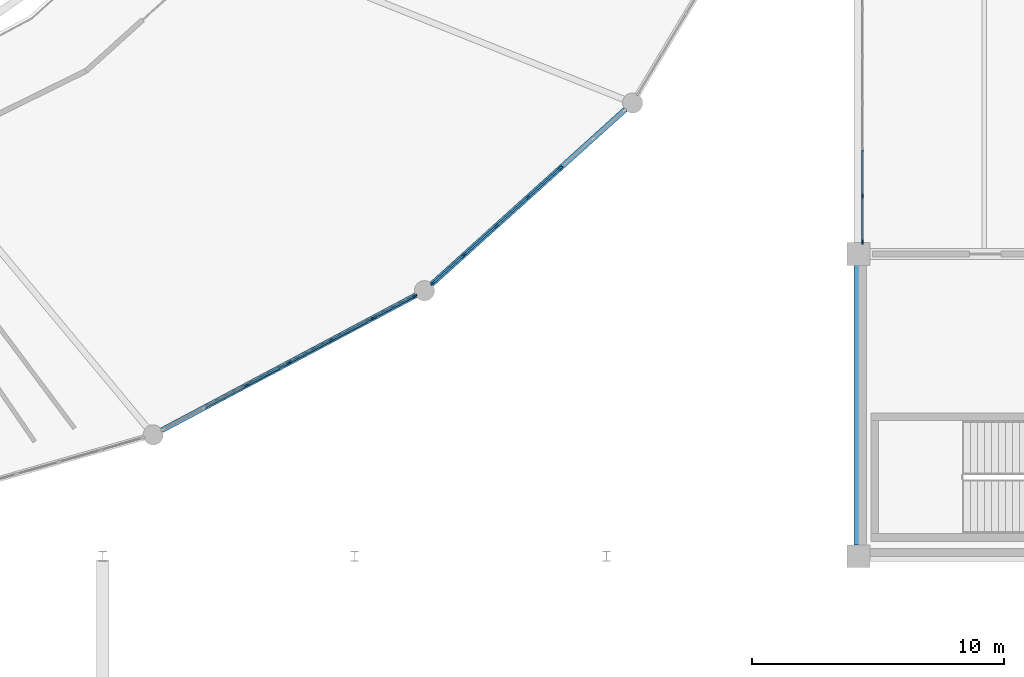
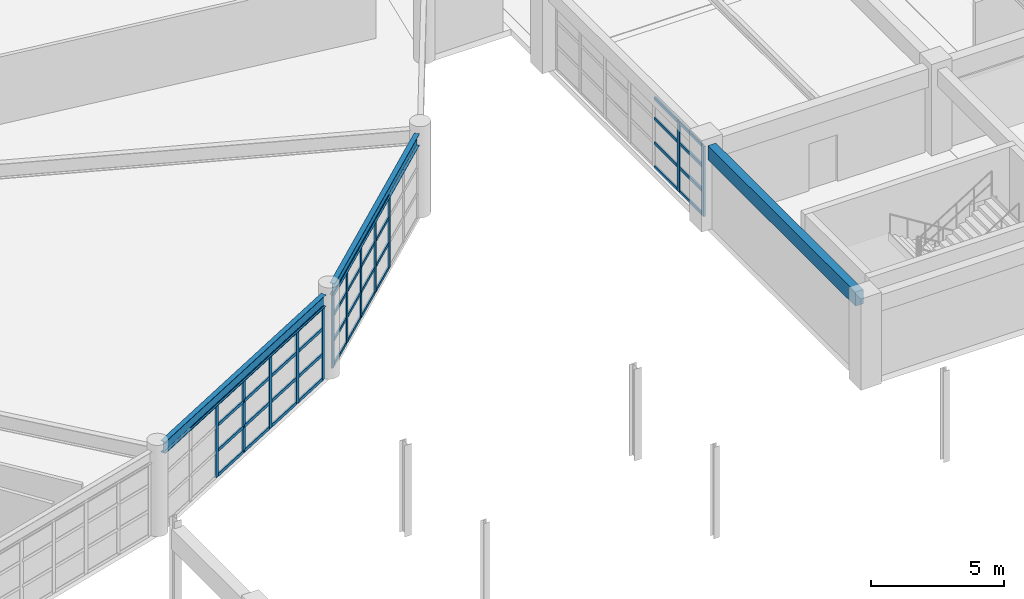
# One storey, part 30 of 100: 53 members, 3 beams, 3 elements without a shape of their own.
"""IFC4 building model written with IfcOpenShell, lengths in metres."""

import ifcopenshell
import ifcopenshell.guid

model = None  # the IFC model being written
_history = None  # IfcOwnerHistory: only IFC2X3 demands one
_inside = {}  # id of a spatial element -> (the spatial element, [elements in it])
_under = {}  # id of a project, library or spatial element -> (it, [spatial elements below it])
_declared = {}  # id of a project -> (the project, [libraries it declares])
_typed = {}  # id of a type object -> (the type object, [elements of that type])
_made_of = {}  # id of a material, layer set ... -> (it, [elements and type objects made of it])


def new_model(schema):
    """Start an empty IFC model of exactly this schema.

    Asked for "IFC4X3", IfcOpenShell would pick the latest addendum, in which some entities
    have other attributes; the version numbers below select the first issue.
    IFC2X3 requires an IfcOwnerHistory on every rooted entity: one is made here for all.
    """
    global model, _history
    if schema == "IFC4X3":
        model = ifcopenshell.file(schema_version=(4, 3, 0, 0))
    else:
        model = ifcopenshell.file(schema=schema)
    _inside.clear()
    _under.clear()
    _declared.clear()
    _typed.clear()
    _made_of.clear()
    _history = None
    if model.schema == "IFC2X3":
        org = make("IfcOrganization", Name="unknown")
        user = make(
            "IfcPersonAndOrganization",
            ThePerson=make("IfcPerson", FamilyName="unknown"),
            TheOrganization=org,
        )
        app = make(
            "IfcApplication",
            ApplicationDeveloper=org,
            Version="unknown",
            ApplicationFullName="unknown",
            ApplicationIdentifier="unknown",
        )
        _history = make(
            "IfcOwnerHistory",
            OwningUser=user,
            OwningApplication=app,
            ChangeAction="ADDED",
            CreationDate=0,
        )
    return model


def make(cls, **values):
    """One entity of the class cls with the attributes given. An attribute that is None is left unset."""
    return model.create_entity(
        cls, **{name: value for name, value in values.items() if value is not None}
    )


def rooted(cls, **values):
    """An entity with a GlobalId (a new one), such as an element, a storey or a relation."""
    return make(cls, GlobalId=ifcopenshell.guid.new(), OwnerHistory=_history, **values)


def si_unit(unit_type, name, prefix=None):
    """IfcSIUnit, for example si_unit("LENGTHUNIT", "METRE", prefix="MILLI")."""
    return make("IfcSIUnit", UnitType=unit_type, Prefix=prefix, Name=name)


def assignment(units):
    """IfcUnitAssignment: the units of a project."""
    return None if units is None else make("IfcUnitAssignment", Units=units)


def point(xyz):
    """IfcCartesianPoint."""
    return None if xyz is None else make("IfcCartesianPoint", Coordinates=xyz)


def direction(xyz):
    """IfcDirection."""
    return None if xyz is None else make("IfcDirection", DirectionRatios=xyz)


def frame(location, z_axis=None, x_axis=None):
    """IfcAxis2Placement3D, a coordinate frame: its origin and axes. An axis left out is left unset."""
    return make(
        "IfcAxis2Placement3D",
        Location=point(location),
        Axis=direction(z_axis),
        RefDirection=direction(x_axis),
    )


def frame_2d(location, x_axis=None):
    """IfcAxis2Placement2D, a coordinate frame in the plane: its origin and x axis."""
    return make(
        "IfcAxis2Placement2D", Location=point(location), RefDirection=direction(x_axis)
    )


def origin():
    """The frame at (0, 0, 0) with its axes left unset."""
    return frame((0.0, 0.0, 0.0))


def origin_2d():
    """The frame at (0, 0) in the plane with its x axis left unset."""
    return frame_2d((0.0, 0.0))


def place(relative_to, where):
    """IfcLocalPlacement: puts the frame where relative to a parent placement (None: the world)."""
    return make(
        "IfcLocalPlacement", PlacementRelTo=relative_to, RelativePlacement=where
    )


def context(
    kind, dimensions, precision=None, world=None, true_north=None, identifier=None
):
    """IfcGeometricRepresentationContext, for example the 3D "Model" context."""
    return make(
        "IfcGeometricRepresentationContext",
        ContextIdentifier=identifier,
        ContextType=kind,
        CoordinateSpaceDimension=dimensions,
        Precision=precision,
        WorldCoordinateSystem=world,
        TrueNorth=true_north,
    )


def subcontext(parent, identifier, kind, view, scale=None):
    """IfcGeometricRepresentationSubContext, for example "Body" below "Model"."""
    return make(
        "IfcGeometricRepresentationSubContext",
        ContextIdentifier=identifier,
        ContextType=kind,
        ParentContext=parent,
        TargetScale=scale,
        TargetView=view,
    )


def project(units=None, contexts=None):
    """IfcProject with its units and contexts."""
    return rooted(
        "IfcProject",
        Name="project",
        RepresentationContexts=contexts,
        UnitsInContext=assignment(units),
    )


def spatial(cls, under=None, at=None, **own):
    """A site, building, storey or space (cls), placed at a placement, below another one or the project."""
    s = rooted(cls, ObjectPlacement=at, **own)
    if under is not None:
        _under.setdefault(under.id(), (under, []))[1].append(s)
    return s


def profile(cls, at=None, kind="AREA", **sizes):
    """A parametric profile (cls). Its sizes go by their IFC names, for example OverallWidth=200.0."""
    return make(cls, ProfileType=kind, Position=at, **sizes)


def rectangle(**sizes):
    """IfcRectangleProfileDef."""
    return profile("IfcRectangleProfileDef", **sizes)


def i_section(**sizes):
    """IfcIShapeProfileDef."""
    return profile("IfcIShapeProfileDef", **sizes)


def extrude(swept, where, along, depth):
    """IfcExtrudedAreaSolid: the profile swept, set in the frame where, extruded along a direction by depth."""
    return make(
        "IfcExtrudedAreaSolid",
        SweptArea=swept,
        Position=where,
        ExtrudedDirection=direction(along),
        Depth=depth,
    )


def shape(context_of_items, identifier, shape_type, items):
    """IfcShapeRepresentation: the items that make up one representation, for example the "Body"."""
    return make(
        "IfcShapeRepresentation",
        ContextOfItems=context_of_items,
        RepresentationIdentifier=identifier,
        RepresentationType=shape_type,
        Items=items,
    )


def material(Name=None, Category=None):
    """IfcMaterial."""
    return make("IfcMaterial", Name=Name, Category=Category)


def layer(
    of_material, thickness, ventilated=None, Name=None, Category=None, Priority=None
):
    """IfcMaterialLayer: one layer of a wall or slab, of a material (None: an air gap)."""
    return make(
        "IfcMaterialLayer",
        Material=of_material,
        LayerThickness=thickness,
        IsVentilated=ventilated,
        Name=Name,
        Category=Category,
        Priority=Priority,
    )


def layer_set(layers, Name=None):
    """IfcMaterialLayerSet."""
    return make("IfcMaterialLayerSet", MaterialLayers=layers, LayerSetName=Name)


def material_profile(
    of_material, cross_section, Name=None, Category=None, Priority=None
):
    """IfcMaterialProfile: a cross section and its material."""
    return make(
        "IfcMaterialProfile",
        Name=Name,
        Material=of_material,
        Profile=cross_section,
        Priority=Priority,
        Category=Category,
    )


def profile_set(profiles, Name=None, composite=None):
    """IfcMaterialProfileSet."""
    return make(
        "IfcMaterialProfileSet",
        Name=Name,
        MaterialProfiles=profiles,
        CompositeProfile=composite,
    )


def made_of(thing, what):
    """Note that an element or type object is made of a material, layer set ...; save() writes the relation."""
    if what is not None:
        _made_of.setdefault(what.id(), (what, []))[1].append(thing)
    return thing


def type_object(cls, material=None, **own):
    """A type object (cls), such as IfcWallType, which elements share."""
    return made_of(rooted(cls, **own), material)


def element(
    cls,
    number,
    at=None,
    inside=None,
    cuts=None,
    type_object=None,
    material=None,
    context=None,
    identifier="Body",
    shape_type=None,
    held_by="IfcProductDefinitionShape",
    body=None,
    shapes=None,
    **own,
):
    """One element of the class cls, such as IfcWall. Its Tag is "e" and its number.

    at: its placement. inside: the storey or other place that contains it. cuts: it is an
    opening in that element (IfcRelVoidsElement). A single representation is given by context,
    identifier, shape_type and body (its items); several are given by shapes. held_by: the class
    of the entity that holds the representations. save() writes the other relations.
    """
    e = rooted(cls, Tag="e%d" % number, ObjectPlacement=at, **own)
    if body is not None:
        shapes = [shape(context, identifier, shape_type, body)]
    if shapes is not None:
        e.Representation = make(held_by, Representations=shapes)
    if inside is not None:
        _inside.setdefault(inside.id(), (inside, []))[1].append(e)
    if cuts is not None:
        rooted(
            "IfcRelVoidsElement", RelatingBuildingElement=cuts, RelatedOpeningElement=e
        )
    if type_object is not None:
        _typed.setdefault(type_object.id(), (type_object, []))[1].append(e)
    return made_of(e, material)


def aggregate(whole, parts):
    """IfcRelAggregates: a whole, such as a stair, and the parts it consists of."""
    return rooted("IfcRelAggregates", RelatingObject=whole, RelatedObjects=parts)


def save(model, path):
    """Write the relations noted so far, then the file.

    IfcRelAggregates (storeys below a building ...), IfcRelContainedInSpatialStructure (elements
    in a storey), IfcRelDefinesByType, IfcRelAssociatesMaterial and IfcRelDeclares: one each for
    every whole, place, type object, material and project.
    """
    for whole, parts in _under.values():
        aggregate(whole, parts)
    for where, things in _inside.values():
        rooted(
            "IfcRelContainedInSpatialStructure",
            RelatedElements=things,
            RelatingStructure=where,
        )
    for kind, things in _typed.values():
        rooted("IfcRelDefinesByType", RelatedObjects=things, RelatingType=kind)
    for what, things in _made_of.values():
        rooted("IfcRelAssociatesMaterial", RelatedObjects=things, RelatingMaterial=what)
    for by, libraries in _declared.values():
        rooted("IfcRelDeclares", RelatingContext=by, RelatedDefinitions=libraries)
    model.write(path)


model = new_model("IFC4")

# Units and contexts
model_context = context("Model", 3, precision=1e-05, world=origin(), true_north=direction((0.0, 1.0)))
body_context = subcontext(model_context, "Body", "Model", "MODEL_VIEW")
ifc_project = project(units=[si_unit("LENGTHUNIT", "METRE"), si_unit("AREAUNIT", "SQUARE_METRE"), si_unit("VOLUMEUNIT", "CUBIC_METRE"), si_unit("PLANEANGLEUNIT", "RADIAN"), si_unit("MASSUNIT", "GRAM", prefix="KILO")], contexts=[model_context])

# Site, building, storey
site_placement = place(None, origin())
site = spatial("IfcSite", under=ifc_project, at=site_placement, CompositionType="ELEMENT")
building_placement = place(site_placement, origin())
building = spatial("IfcBuilding", under=site, at=building_placement, Name="Kivolera Central Railway Station", CompositionType="ELEMENT")
storey_placement = place(building_placement, frame((0.0, 0.0, 5.39990234375)))
storey = spatial("IfcBuildingStorey", under=building, at=storey_placement, Name="L01", CompositionType="ELEMENT", Elevation=5.39990234375)

# Beams
ifc_material_1 = material(Name="Steel S355", Category="steel")
ifc_material_profile_1 = material_profile(ifc_material_1, i_section(OverallWidth=0.209228515625, OverallDepth=0.533203125, WebThickness=0.010009765625, FlangeThickness=0.015625, FilletRadius=0.0126953125, at=origin_2d()), Name="UB 533x210x92")
ifc_profile_set_1 = profile_set([ifc_material_profile_1], Name="Steel S355")
beam_type_1 = type_object("IfcBeamType", Name="BM-SHD-UB533", PredefinedType="BEAM", material=ifc_profile_set_1)
beam_1_placement = place(storey_placement, frame((90.343994140625, 59.006103515625, 3.611083984375), z_axis=(0.883155588993, 0.469080169725, 0.0), x_axis=(-0.469080169725, 0.883155588993, 0.0)))
element("IfcBeam", 1, at=beam_1_placement, inside=storey, type_object=beam_type_1, Name="L01 Oval Perimeter Ring Beam 21", PredefinedType="BEAM", context=body_context, shape_type="SweptSolid", body=[
    extrude(i_section(OverallWidth=0.209228515625, OverallDepth=0.533203125, WebThickness=0.010009765625, FlangeThickness=0.015625, FilletRadius=0.0126953125, at=origin_2d()), origin(), (0.0, 0.0, 1.0), 11.416015625),
])
beam_2_placement = place(storey_placement, frame((101.06005859375, 64.804931640625, 3.611083984375), z_axis=(0.742356199881, 0.670005427215, 0.0), x_axis=(-0.670005427215, 0.742356199881, 0.0)))
element("IfcBeam", 2, at=beam_2_placement, inside=storey, type_object=beam_type_1, Name="L01 Oval Perimeter Ring Beam 22", PredefinedType="BEAM", context=body_context, shape_type="SweptSolid", body=[
    extrude(i_section(OverallWidth=0.209228515625, OverallDepth=0.533203125, WebThickness=0.010009765625, FlangeThickness=0.015625, FilletRadius=0.0126953125, at=origin_2d()), origin(), (0.0, 0.0, 1.0), 10.349365234375),
])
ifc_material_2 = material(Name="Concrete C40/50", Category="concrete")
ifc_material_profile_2 = material_profile(ifc_material_2, rectangle(XDim=0.35009765625, YDim=0.64990234375, at=origin_2d()), Name="RC 350x650")
ifc_profile_set_2 = profile_set([ifc_material_profile_2], Name="Concrete C40/50")
beam_type_2 = type_object("IfcBeamType", Name="BM-SPN-RC650", PredefinedType="SPANDREL", material=ifc_profile_set_2)
beam_3_placement = place(storey_placement, frame((118.0, 54.44189453125, 3.55517578125), z_axis=(0.0, 1.0, 0.0), x_axis=(-1.0, 0.0, 0.0)))
element("IfcBeam", 3, at=beam_3_placement, inside=storey, type_object=beam_type_2, Name="L01 Wing Y-Beam 12:E-F", PredefinedType="SPANDREL", context=body_context, shape_type="SweptSolid", body=[
    extrude(rectangle(XDim=0.35009765625, YDim=0.64990234375, at=origin_2d()), origin(), (0.0, 0.0, 1.0), 11.1162109375),
])

# Curtain wall, members
ifc_material_3 = material(Name="Anodised aluminium", Category="aluminium")
ifc_layer_1 = layer(ifc_material_3, 0.179931640625, Name="Anodised aluminium")
ifc_layer_set_1 = layer_set([ifc_layer_1], Name="Anodised aluminium")
curtain_wall_type_1 = type_object("IfcCurtainWallType", Name="CW-SYS-08", PredefinedType="NOTDEFINED", material=ifc_layer_set_1)
curtain_wall_1_placement = place(storey_placement, origin())
curtain_wall_1 = element("IfcCurtainWall", 4, at=curtain_wall_1_placement, inside=storey, type_object=curtain_wall_type_1, Name="L01 Curtain Wall CW-L01-OVL-20", PredefinedType="NOTDEFINED")
ifc_material_profile_3 = material_profile(ifc_material_3, rectangle(XDim=0.070068359375, YDim=0.179931640625, at=origin_2d()), Name="ALU MULL 70x180")
ifc_profile_set_3 = profile_set([ifc_material_profile_3], Name="Anodised aluminium")
member_type_1 = type_object("IfcMemberType", Name="CWM-MUL-1", PredefinedType="MULLION", material=ifc_profile_set_3)
member_1_placement = place(storey_placement, frame((100.385986328125, 64.339599609375, -0.0048828125), z_axis=(0.0, 0.0, 1.0), x_axis=(0.469052563023, -0.883170251493, 0.0)))
member_1 = element("IfcMember", 5, at=member_1_placement, type_object=member_type_1, Name="CW-08 mullion 1", PredefinedType="MULLION", context=body_context, shape_type="SweptSolid", body=[
    extrude(rectangle(XDim=0.070068359375, YDim=0.179931640625, at=origin_2d()), origin(), (0.0, 0.0, 1.0), 3.344970703125),
])
member_2_placement = place(storey_placement, frame((98.73974609375, 63.465087890625, -0.0048828125), z_axis=(0.0, 0.0, 1.0), x_axis=(0.469052563023, -0.883170251493, 0.0)))
member_2 = element("IfcMember", 6, at=member_2_placement, type_object=member_type_1, Name="CW-08 mullion 2", PredefinedType="MULLION", context=body_context, shape_type="SweptSolid", body=[
    extrude(rectangle(XDim=0.070068359375, YDim=0.179931640625, at=origin_2d()), origin(), (0.0, 0.0, 1.0), 3.344970703125),
])
member_3_placement = place(storey_placement, frame((97.062255859375, 62.57421875, -0.0048828125), z_axis=(0.0, 0.0, 1.0), x_axis=(0.469052563023, -0.883170251493, 0.0)))
member_3 = element("IfcMember", 7, at=member_3_placement, type_object=member_type_1, Name="CW-08 mullion 3", PredefinedType="MULLION", context=body_context, shape_type="SweptSolid", body=[
    extrude(rectangle(XDim=0.070068359375, YDim=0.179931640625, at=origin_2d()), origin(), (0.0, 0.0, 1.0), 3.344970703125),
])
member_4_placement = place(storey_placement, frame((95.385009765625, 61.68359375, -0.0048828125), z_axis=(0.0, 0.0, 1.0), x_axis=(0.469052563023, -0.883170251493, 0.0)))
member_4 = element("IfcMember", 8, at=member_4_placement, type_object=member_type_1, Name="CW-08 mullion 4", PredefinedType="MULLION", context=body_context, shape_type="SweptSolid", body=[
    extrude(rectangle(XDim=0.070068359375, YDim=0.179931640625, at=origin_2d()), origin(), (0.0, 0.0, 1.0), 3.344970703125),
])
member_5_placement = place(storey_placement, frame((93.707763671875, 60.792724609375, -0.0048828125), z_axis=(0.0, 0.0, 1.0), x_axis=(0.469052563023, -0.883170251493, 0.0)))
member_5 = element("IfcMember", 9, at=member_5_placement, type_object=member_type_1, Name="CW-08 mullion 5", PredefinedType="MULLION", context=body_context, shape_type="SweptSolid", body=[
    extrude(rectangle(XDim=0.070068359375, YDim=0.179931640625, at=origin_2d()), origin(), (0.0, 0.0, 1.0), 3.344970703125),
])

ifc_layer_2 = layer(ifc_material_3, 0.179931640625, Name="Anodised aluminium")
ifc_layer_set_2 = layer_set([ifc_layer_2], Name="Anodised aluminium")
curtain_wall_type_2 = type_object("IfcCurtainWallType", Name="CW-SYS-05", PredefinedType="NOTDEFINED", material=ifc_layer_set_2)
curtain_wall_2_placement = place(storey_placement, origin())
curtain_wall_2 = element("IfcCurtainWall", 10, at=curtain_wall_2_placement, inside=storey, type_object=curtain_wall_type_2, Name="L01 Curtain Wall CW-L01-OVL-21", PredefinedType="NOTDEFINED")
member_6_placement = place(storey_placement, frame((106.1796875, 69.42529296875, -0.0048828125), z_axis=(0.0, 0.0, 1.0), x_axis=(0.66992157428, -0.742431871833, 0.0)))
member_6 = element("IfcMember", 11, at=member_6_placement, type_object=member_type_1, Name="CW-05 mullion 3", PredefinedType="MULLION", context=body_context, shape_type="SweptSolid", body=[
    extrude(rectangle(XDim=0.070068359375, YDim=0.179931640625, at=origin_2d()), origin(), (0.0, 0.0, 1.0), 3.344970703125),
])
member_7_placement = place(storey_placement, frame((104.901611328125, 68.27197265625, -0.0048828125), z_axis=(0.0, 0.0, 1.0), x_axis=(0.66992157428, -0.742431871833, 0.0)))
member_7 = element("IfcMember", 12, at=member_7_placement, type_object=member_type_1, Name="CW-05 mullion 4", PredefinedType="MULLION", context=body_context, shape_type="SweptSolid", body=[
    extrude(rectangle(XDim=0.070068359375, YDim=0.179931640625, at=origin_2d()), origin(), (0.0, 0.0, 1.0), 3.344970703125),
])
member_8_placement = place(storey_placement, frame((103.623291015625, 67.11865234375, -0.0048828125), z_axis=(0.0, 0.0, 1.0), x_axis=(0.66992157428, -0.742431871833, 0.0)))
member_8 = element("IfcMember", 13, at=member_8_placement, type_object=member_type_1, Name="CW-05 mullion 5", PredefinedType="MULLION", context=body_context, shape_type="SweptSolid", body=[
    extrude(rectangle(XDim=0.070068359375, YDim=0.179931640625, at=origin_2d()), origin(), (0.0, 0.0, 1.0), 3.344970703125),
])
member_9_placement = place(storey_placement, frame((102.34521484375, 65.96533203125, -0.0048828125), z_axis=(0.0, 0.0, 1.0), x_axis=(0.66992157428, -0.742431871833, 0.0)))
member_9 = element("IfcMember", 14, at=member_9_placement, type_object=member_type_1, Name="CW-05 mullion 6", PredefinedType="MULLION", context=body_context, shape_type="SweptSolid", body=[
    extrude(rectangle(XDim=0.070068359375, YDim=0.179931640625, at=origin_2d()), origin(), (0.0, 0.0, 1.0), 3.344970703125),
])
member_10_placement = place(storey_placement, frame((101.093017578125, 64.83544921875, -0.0048828125), z_axis=(0.0, 0.0, 1.0), x_axis=(0.66992157428, -0.742431871833, 0.0)))
member_10 = element("IfcMember", 15, at=member_10_placement, type_object=member_type_1, Name="CW-05 mullion 7", PredefinedType="MULLION", context=body_context, shape_type="SweptSolid", body=[
    extrude(rectangle(XDim=0.070068359375, YDim=0.179931640625, at=origin_2d()), origin(), (0.0, 0.0, 1.0), 3.344970703125),
])

ifc_layer_3 = layer(ifc_material_3, 0.179931640625, Name="Anodised aluminium")
ifc_layer_set_3 = layer_set([ifc_layer_3], Name="Anodised aluminium")
curtain_wall_type_3 = type_object("IfcCurtainWallType", Name="CW-SYS-26", PredefinedType="NOTDEFINED", material=ifc_layer_set_3)
curtain_wall_3_placement = place(storey_placement, origin())
curtain_wall_3 = element("IfcCurtainWall", 16, at=curtain_wall_3_placement, inside=storey, type_object=curtain_wall_type_3, Name="L01 Curtain Wall CW-L01-WEST-F", PredefinedType="NOTDEFINED")
member_11_placement = place(storey_placement, frame((118.159912109375, 66.47998046875, -0.0048828125), z_axis=(0.0, 0.0, 1.0), x_axis=(-1.0, 0.0, 0.0)))
member_11 = element("IfcMember", 17, at=member_11_placement, type_object=member_type_1, Name="CW-26 mullion 1", PredefinedType="MULLION", context=body_context, shape_type="SweptSolid", body=[
    extrude(rectangle(XDim=0.070068359375, YDim=0.179931640625, at=origin_2d()), origin(), (0.0, 0.0, 1.0), 3.222900390625),
])
member_12_placement = place(storey_placement, frame((118.159912109375, 68.296630859375, -0.0048828125), z_axis=(0.0, 0.0, 1.0), x_axis=(-1.0, 0.0, 0.0)))
member_12 = element("IfcMember", 18, at=member_12_placement, type_object=member_type_1, Name="CW-26 mullion 2", PredefinedType="MULLION", context=body_context, shape_type="SweptSolid", body=[
    extrude(rectangle(XDim=0.070068359375, YDim=0.179931640625, at=origin_2d()), origin(), (0.0, 0.0, 1.0), 3.222900390625),
])

# Member
ifc_material_profile_4 = material_profile(ifc_material_3, rectangle(XDim=0.070068359375, YDim=0.139892578125, at=origin_2d()), Name="ALU TRAN 70x140")
ifc_profile_set_4 = profile_set([ifc_material_profile_4], Name="Anodised aluminium")
member_type_2 = type_object("IfcMemberType", Name="CWM-TRN-1", PredefinedType="USERDEFINED", material=ifc_profile_set_4)
member_13_placement = place(storey_placement, frame((100.355224609375, 64.3232421875, 0.03515625), z_axis=(-0.883191460259, -0.469012627255, 0.0), x_axis=(0.469012627255, -0.883191460259, 0.0)))
member_13 = element("IfcMember", 19, at=member_13_placement, type_object=member_type_2, Name="CW-08 transom 1.1", ObjectType="TRANSOM", PredefinedType="USERDEFINED", context=body_context, shape_type="SweptSolid", body=[
    extrude(rectangle(XDim=0.070068359375, YDim=0.139892578125, at=origin_2d()), origin(), (0.0, 0.0, 1.0), 1.794189453125),
])

member_14_placement = place(storey_placement, frame((100.355224609375, 64.3232421875, 1.169189453125), z_axis=(-0.883191460259, -0.469012627255, 0.0), x_axis=(0.469012627255, -0.883191460259, 0.0)))
member_14 = element("IfcMember", 20, at=member_14_placement, type_object=member_type_2, Name="CW-08 transom 1.2", ObjectType="TRANSOM", PredefinedType="USERDEFINED", context=body_context, shape_type="SweptSolid", body=[
    extrude(rectangle(XDim=0.070068359375, YDim=0.139892578125, at=origin_2d()), origin(), (0.0, 0.0, 1.0), 1.794189453125),
])

member_15_placement = place(storey_placement, frame((100.355224609375, 64.3232421875, 2.338134765625), z_axis=(-0.883191460259, -0.469012627255, 0.0), x_axis=(0.469012627255, -0.883191460259, 0.0)))
member_15 = element("IfcMember", 21, at=member_15_placement, type_object=member_type_2, Name="CW-08 transom 1.3", ObjectType="TRANSOM", PredefinedType="USERDEFINED", context=body_context, shape_type="SweptSolid", body=[
    extrude(rectangle(XDim=0.070068359375, YDim=0.139892578125, at=origin_2d()), origin(), (0.0, 0.0, 1.0), 1.794189453125),
])

member_16_placement = place(storey_placement, frame((100.355224609375, 64.3232421875, 3.30517578125), z_axis=(-0.883191460259, -0.469012627255, 0.0), x_axis=(0.469012627255, -0.883191460259, 0.0)))
member_16 = element("IfcMember", 22, at=member_16_placement, type_object=member_type_2, Name="CW-08 transom 1.4", ObjectType="TRANSOM", PredefinedType="USERDEFINED", context=body_context, shape_type="SweptSolid", body=[
    extrude(rectangle(XDim=0.070068359375, YDim=0.139892578125, at=origin_2d()), origin(), (0.0, 0.0, 1.0), 1.794189453125),
])

member_17_placement = place(storey_placement, frame((98.708740234375, 63.44873046875, 0.03515625), z_axis=(-0.88318656257, -0.469021849913, 0.0), x_axis=(0.469021849913, -0.88318656257, 0.0)))
member_17 = element("IfcMember", 23, at=member_17_placement, type_object=member_type_2, Name="CW-08 transom 2.1", ObjectType="TRANSOM", PredefinedType="USERDEFINED", context=body_context, shape_type="SweptSolid", body=[
    extrude(rectangle(XDim=0.070068359375, YDim=0.139892578125, at=origin_2d()), origin(), (0.0, 0.0, 1.0), 1.8291015625),
])

member_18_placement = place(storey_placement, frame((98.708740234375, 63.44873046875, 1.169189453125), z_axis=(-0.88318656257, -0.469021849913, 0.0), x_axis=(0.469021849913, -0.88318656257, 0.0)))
member_18 = element("IfcMember", 24, at=member_18_placement, type_object=member_type_2, Name="CW-08 transom 2.2", ObjectType="TRANSOM", PredefinedType="USERDEFINED", context=body_context, shape_type="SweptSolid", body=[
    extrude(rectangle(XDim=0.070068359375, YDim=0.139892578125, at=origin_2d()), origin(), (0.0, 0.0, 1.0), 1.8291015625),
])

member_19_placement = place(storey_placement, frame((98.708740234375, 63.44873046875, 2.338134765625), z_axis=(-0.88318656257, -0.469021849913, 0.0), x_axis=(0.469021849913, -0.88318656257, 0.0)))
member_19 = element("IfcMember", 25, at=member_19_placement, type_object=member_type_2, Name="CW-08 transom 2.3", ObjectType="TRANSOM", PredefinedType="USERDEFINED", context=body_context, shape_type="SweptSolid", body=[
    extrude(rectangle(XDim=0.070068359375, YDim=0.139892578125, at=origin_2d()), origin(), (0.0, 0.0, 1.0), 1.8291015625),
])

member_20_placement = place(storey_placement, frame((98.708740234375, 63.44873046875, 3.30517578125), z_axis=(-0.88318656257, -0.469021849913, 0.0), x_axis=(0.469021849913, -0.88318656257, 0.0)))
member_20 = element("IfcMember", 26, at=member_20_placement, type_object=member_type_2, Name="CW-08 transom 2.4", ObjectType="TRANSOM", PredefinedType="USERDEFINED", context=body_context, shape_type="SweptSolid", body=[
    extrude(rectangle(XDim=0.070068359375, YDim=0.139892578125, at=origin_2d()), origin(), (0.0, 0.0, 1.0), 1.8291015625),
])

member_21_placement = place(storey_placement, frame((97.031494140625, 62.557861328125, 0.03515625), z_axis=(-0.88318656257, -0.469021849913, 0.0), x_axis=(0.469021849913, -0.88318656257, 0.0)))
member_21 = element("IfcMember", 27, at=member_21_placement, type_object=member_type_2, Name="CW-08 transom 3.1", ObjectType="TRANSOM", PredefinedType="USERDEFINED", context=body_context, shape_type="SweptSolid", body=[
    extrude(rectangle(XDim=0.070068359375, YDim=0.139892578125, at=origin_2d()), origin(), (0.0, 0.0, 1.0), 1.8291015625),
])

member_22_placement = place(storey_placement, frame((97.031494140625, 62.557861328125, 1.169189453125), z_axis=(-0.88318656257, -0.469021849913, 0.0), x_axis=(0.469021849913, -0.88318656257, 0.0)))
member_22 = element("IfcMember", 28, at=member_22_placement, type_object=member_type_2, Name="CW-08 transom 3.2", ObjectType="TRANSOM", PredefinedType="USERDEFINED", context=body_context, shape_type="SweptSolid", body=[
    extrude(rectangle(XDim=0.070068359375, YDim=0.139892578125, at=origin_2d()), origin(), (0.0, 0.0, 1.0), 1.8291015625),
])

member_23_placement = place(storey_placement, frame((97.031494140625, 62.557861328125, 2.338134765625), z_axis=(-0.88318656257, -0.469021849913, 0.0), x_axis=(0.469021849913, -0.88318656257, 0.0)))
member_23 = element("IfcMember", 29, at=member_23_placement, type_object=member_type_2, Name="CW-08 transom 3.3", ObjectType="TRANSOM", PredefinedType="USERDEFINED", context=body_context, shape_type="SweptSolid", body=[
    extrude(rectangle(XDim=0.070068359375, YDim=0.139892578125, at=origin_2d()), origin(), (0.0, 0.0, 1.0), 1.8291015625),
])

member_24_placement = place(storey_placement, frame((97.031494140625, 62.557861328125, 3.30517578125), z_axis=(-0.88318656257, -0.469021849913, 0.0), x_axis=(0.469021849913, -0.88318656257, 0.0)))
member_24 = element("IfcMember", 30, at=member_24_placement, type_object=member_type_2, Name="CW-08 transom 3.4", ObjectType="TRANSOM", PredefinedType="USERDEFINED", context=body_context, shape_type="SweptSolid", body=[
    extrude(rectangle(XDim=0.070068359375, YDim=0.139892578125, at=origin_2d()), origin(), (0.0, 0.0, 1.0), 1.8291015625),
])

member_25_placement = place(storey_placement, frame((95.35400390625, 61.6669921875, 0.03515625), z_axis=(-0.88318656257, -0.469021849913, 0.0), x_axis=(0.469021849913, -0.88318656257, 0.0)))
member_25 = element("IfcMember", 31, at=member_25_placement, type_object=member_type_2, Name="CW-08 transom 4.1", ObjectType="TRANSOM", PredefinedType="USERDEFINED", context=body_context, shape_type="SweptSolid", body=[
    extrude(rectangle(XDim=0.070068359375, YDim=0.139892578125, at=origin_2d()), origin(), (0.0, 0.0, 1.0), 1.8291015625),
])

member_26_placement = place(storey_placement, frame((95.35400390625, 61.6669921875, 1.169189453125), z_axis=(-0.88318656257, -0.469021849913, 0.0), x_axis=(0.469021849913, -0.88318656257, 0.0)))
member_26 = element("IfcMember", 32, at=member_26_placement, type_object=member_type_2, Name="CW-08 transom 4.2", ObjectType="TRANSOM", PredefinedType="USERDEFINED", context=body_context, shape_type="SweptSolid", body=[
    extrude(rectangle(XDim=0.070068359375, YDim=0.139892578125, at=origin_2d()), origin(), (0.0, 0.0, 1.0), 1.8291015625),
])

member_27_placement = place(storey_placement, frame((95.35400390625, 61.6669921875, 2.338134765625), z_axis=(-0.88318656257, -0.469021849913, 0.0), x_axis=(0.469021849913, -0.88318656257, 0.0)))
member_27 = element("IfcMember", 33, at=member_27_placement, type_object=member_type_2, Name="CW-08 transom 4.3", ObjectType="TRANSOM", PredefinedType="USERDEFINED", context=body_context, shape_type="SweptSolid", body=[
    extrude(rectangle(XDim=0.070068359375, YDim=0.139892578125, at=origin_2d()), origin(), (0.0, 0.0, 1.0), 1.8291015625),
])

member_28_placement = place(storey_placement, frame((95.35400390625, 61.6669921875, 3.30517578125), z_axis=(-0.88318656257, -0.469021849913, 0.0), x_axis=(0.469021849913, -0.88318656257, 0.0)))
member_28 = element("IfcMember", 34, at=member_28_placement, type_object=member_type_2, Name="CW-08 transom 4.4", ObjectType="TRANSOM", PredefinedType="USERDEFINED", context=body_context, shape_type="SweptSolid", body=[
    extrude(rectangle(XDim=0.070068359375, YDim=0.139892578125, at=origin_2d()), origin(), (0.0, 0.0, 1.0), 1.8291015625),
])

member_29_placement = place(storey_placement, frame((93.6767578125, 60.7763671875, 3.30517578125), z_axis=(-0.883131271136, -0.469125951042, 0.0), x_axis=(0.469125951042, -0.883131271136, 0.0)))
member_29 = element("IfcMember", 35, at=member_29_placement, type_object=member_type_2, Name="CW-08 transom 5.4", ObjectType="TRANSOM", PredefinedType="USERDEFINED", context=body_context, shape_type="SweptSolid", body=[
    extrude(rectangle(XDim=0.070068359375, YDim=0.139892578125, at=origin_2d()), origin(), (0.0, 0.0, 1.0), 1.829345703125),
])

aggregate(curtain_wall_1, [member_1, member_2, member_3, member_4, member_5, member_13, member_14, member_15, member_16, member_17, member_18, member_19, member_20, member_21, member_22, member_23, member_24, member_25, member_26, member_27, member_28, member_29])

member_30_placement = place(storey_placement, frame((106.153564453125, 69.40185546875, 0.03515625), z_axis=(-0.742396704206, -0.669960546289, 0.0), x_axis=(0.669960546289, -0.742396704206, 0.0)))
member_30 = element("IfcMember", 36, at=member_30_placement, type_object=member_type_2, Name="CW-05 transom 3.1", ObjectType="TRANSOM", PredefinedType="USERDEFINED", context=body_context, shape_type="SweptSolid", body=[
    extrude(rectangle(XDim=0.070068359375, YDim=0.139892578125, at=origin_2d()), origin(), (0.0, 0.0, 1.0), 1.651611328125),
])

member_31_placement = place(storey_placement, frame((106.153564453125, 69.40185546875, 1.169189453125), z_axis=(-0.742396704206, -0.669960546289, 0.0), x_axis=(0.669960546289, -0.742396704206, 0.0)))
member_31 = element("IfcMember", 37, at=member_31_placement, type_object=member_type_2, Name="CW-05 transom 3.2", ObjectType="TRANSOM", PredefinedType="USERDEFINED", context=body_context, shape_type="SweptSolid", body=[
    extrude(rectangle(XDim=0.070068359375, YDim=0.139892578125, at=origin_2d()), origin(), (0.0, 0.0, 1.0), 1.651611328125),
])

member_32_placement = place(storey_placement, frame((106.153564453125, 69.40185546875, 2.338134765625), z_axis=(-0.742396704206, -0.669960546289, 0.0), x_axis=(0.669960546289, -0.742396704206, 0.0)))
member_32 = element("IfcMember", 38, at=member_32_placement, type_object=member_type_2, Name="CW-05 transom 3.3", ObjectType="TRANSOM", PredefinedType="USERDEFINED", context=body_context, shape_type="SweptSolid", body=[
    extrude(rectangle(XDim=0.070068359375, YDim=0.139892578125, at=origin_2d()), origin(), (0.0, 0.0, 1.0), 1.651611328125),
])

member_33_placement = place(storey_placement, frame((106.153564453125, 69.40185546875, 3.30517578125), z_axis=(-0.742396704206, -0.669960546289, 0.0), x_axis=(0.669960546289, -0.742396704206, 0.0)))
member_33 = element("IfcMember", 39, at=member_33_placement, type_object=member_type_2, Name="CW-05 transom 3.4", ObjectType="TRANSOM", PredefinedType="USERDEFINED", context=body_context, shape_type="SweptSolid", body=[
    extrude(rectangle(XDim=0.070068359375, YDim=0.139892578125, at=origin_2d()), origin(), (0.0, 0.0, 1.0), 1.651611328125),
])

member_34_placement = place(storey_placement, frame((104.87548828125, 68.24853515625, 0.03515625), z_axis=(-0.742396704206, -0.669960546289, 0.0), x_axis=(0.669960546289, -0.742396704206, 0.0)))
member_34 = element("IfcMember", 40, at=member_34_placement, type_object=member_type_2, Name="CW-05 transom 4.1", ObjectType="TRANSOM", PredefinedType="USERDEFINED", context=body_context, shape_type="SweptSolid", body=[
    extrude(rectangle(XDim=0.070068359375, YDim=0.139892578125, at=origin_2d()), origin(), (0.0, 0.0, 1.0), 1.651611328125),
])

member_35_placement = place(storey_placement, frame((104.87548828125, 68.24853515625, 1.169189453125), z_axis=(-0.742396704206, -0.669960546289, 0.0), x_axis=(0.669960546289, -0.742396704206, 0.0)))
member_35 = element("IfcMember", 41, at=member_35_placement, type_object=member_type_2, Name="CW-05 transom 4.2", ObjectType="TRANSOM", PredefinedType="USERDEFINED", context=body_context, shape_type="SweptSolid", body=[
    extrude(rectangle(XDim=0.070068359375, YDim=0.139892578125, at=origin_2d()), origin(), (0.0, 0.0, 1.0), 1.651611328125),
])

member_36_placement = place(storey_placement, frame((104.87548828125, 68.24853515625, 2.338134765625), z_axis=(-0.742396704206, -0.669960546289, 0.0), x_axis=(0.669960546289, -0.742396704206, 0.0)))
member_36 = element("IfcMember", 42, at=member_36_placement, type_object=member_type_2, Name="CW-05 transom 4.3", ObjectType="TRANSOM", PredefinedType="USERDEFINED", context=body_context, shape_type="SweptSolid", body=[
    extrude(rectangle(XDim=0.070068359375, YDim=0.139892578125, at=origin_2d()), origin(), (0.0, 0.0, 1.0), 1.651611328125),
])

member_37_placement = place(storey_placement, frame((104.87548828125, 68.24853515625, 3.30517578125), z_axis=(-0.742396704206, -0.669960546289, 0.0), x_axis=(0.669960546289, -0.742396704206, 0.0)))
member_37 = element("IfcMember", 43, at=member_37_placement, type_object=member_type_2, Name="CW-05 transom 4.4", ObjectType="TRANSOM", PredefinedType="USERDEFINED", context=body_context, shape_type="SweptSolid", body=[
    extrude(rectangle(XDim=0.070068359375, YDim=0.139892578125, at=origin_2d()), origin(), (0.0, 0.0, 1.0), 1.651611328125),
])

member_38_placement = place(storey_placement, frame((103.597412109375, 67.09521484375, 0.03515625), z_axis=(-0.74246304586, -0.669887024455, 0.0), x_axis=(0.669887024455, -0.74246304586, 0.0)))
member_38 = element("IfcMember", 44, at=member_38_placement, type_object=member_type_2, Name="CW-05 transom 5.1", ObjectType="TRANSOM", PredefinedType="USERDEFINED", context=body_context, shape_type="SweptSolid", body=[
    extrude(rectangle(XDim=0.070068359375, YDim=0.139892578125, at=origin_2d()), origin(), (0.0, 0.0, 1.0), 1.651611328125),
])

member_39_placement = place(storey_placement, frame((103.597412109375, 67.09521484375, 1.169189453125), z_axis=(-0.74246304586, -0.669887024455, 0.0), x_axis=(0.669887024455, -0.74246304586, 0.0)))
member_39 = element("IfcMember", 45, at=member_39_placement, type_object=member_type_2, Name="CW-05 transom 5.2", ObjectType="TRANSOM", PredefinedType="USERDEFINED", context=body_context, shape_type="SweptSolid", body=[
    extrude(rectangle(XDim=0.070068359375, YDim=0.139892578125, at=origin_2d()), origin(), (0.0, 0.0, 1.0), 1.651611328125),
])

member_40_placement = place(storey_placement, frame((103.597412109375, 67.09521484375, 2.338134765625), z_axis=(-0.74246304586, -0.669887024455, 0.0), x_axis=(0.669887024455, -0.74246304586, 0.0)))
member_40 = element("IfcMember", 46, at=member_40_placement, type_object=member_type_2, Name="CW-05 transom 5.3", ObjectType="TRANSOM", PredefinedType="USERDEFINED", context=body_context, shape_type="SweptSolid", body=[
    extrude(rectangle(XDim=0.070068359375, YDim=0.139892578125, at=origin_2d()), origin(), (0.0, 0.0, 1.0), 1.651611328125),
])

member_41_placement = place(storey_placement, frame((103.597412109375, 67.09521484375, 3.30517578125), z_axis=(-0.74246304586, -0.669887024455, 0.0), x_axis=(0.669887024455, -0.74246304586, 0.0)))
member_41 = element("IfcMember", 47, at=member_41_placement, type_object=member_type_2, Name="CW-05 transom 5.4", ObjectType="TRANSOM", PredefinedType="USERDEFINED", context=body_context, shape_type="SweptSolid", body=[
    extrude(rectangle(XDim=0.070068359375, YDim=0.139892578125, at=origin_2d()), origin(), (0.0, 0.0, 1.0), 1.651611328125),
])

member_42_placement = place(storey_placement, frame((102.319091796875, 65.94189453125, 0.03515625), z_axis=(-0.742422429893, -0.66993203804, 0.0), x_axis=(0.66993203804, -0.742422429893, 0.0)))
member_42 = element("IfcMember", 48, at=member_42_placement, type_object=member_type_2, Name="CW-05 transom 6.1", ObjectType="TRANSOM", PredefinedType="USERDEFINED", context=body_context, shape_type="SweptSolid", body=[
    extrude(rectangle(XDim=0.070068359375, YDim=0.139892578125, at=origin_2d()), origin(), (0.0, 0.0, 1.0), 1.61669921875),
])

member_43_placement = place(storey_placement, frame((102.319091796875, 65.94189453125, 1.169189453125), z_axis=(-0.742422429893, -0.66993203804, 0.0), x_axis=(0.66993203804, -0.742422429893, 0.0)))
member_43 = element("IfcMember", 49, at=member_43_placement, type_object=member_type_2, Name="CW-05 transom 6.2", ObjectType="TRANSOM", PredefinedType="USERDEFINED", context=body_context, shape_type="SweptSolid", body=[
    extrude(rectangle(XDim=0.070068359375, YDim=0.139892578125, at=origin_2d()), origin(), (0.0, 0.0, 1.0), 1.61669921875),
])

member_44_placement = place(storey_placement, frame((102.319091796875, 65.94189453125, 2.338134765625), z_axis=(-0.742422429893, -0.66993203804, 0.0), x_axis=(0.66993203804, -0.742422429893, 0.0)))
member_44 = element("IfcMember", 50, at=member_44_placement, type_object=member_type_2, Name="CW-05 transom 6.3", ObjectType="TRANSOM", PredefinedType="USERDEFINED", context=body_context, shape_type="SweptSolid", body=[
    extrude(rectangle(XDim=0.070068359375, YDim=0.139892578125, at=origin_2d()), origin(), (0.0, 0.0, 1.0), 1.61669921875),
])

member_45_placement = place(storey_placement, frame((102.319091796875, 65.94189453125, 3.30517578125), z_axis=(-0.742422429893, -0.66993203804, 0.0), x_axis=(0.66993203804, -0.742422429893, 0.0)))
member_45 = element("IfcMember", 51, at=member_45_placement, type_object=member_type_2, Name="CW-05 transom 6.4", ObjectType="TRANSOM", PredefinedType="USERDEFINED", context=body_context, shape_type="SweptSolid", body=[
    extrude(rectangle(XDim=0.070068359375, YDim=0.139892578125, at=origin_2d()), origin(), (0.0, 0.0, 1.0), 1.61669921875),
])

aggregate(curtain_wall_2, [member_6, member_7, member_8, member_9, member_10, member_30, member_31, member_32, member_33, member_34, member_35, member_36, member_37, member_38, member_39, member_40, member_41, member_42, member_43, member_44, member_45])

member_46_placement = place(storey_placement, frame((118.159912109375, 66.514892578125, 0.03515625), z_axis=(0.0, 1.0, 0.0), x_axis=(-1.0, 0.0, 0.0)))
member_46 = element("IfcMember", 52, at=member_46_placement, type_object=member_type_2, Name="CW-26 transom 1.1", ObjectType="TRANSOM", PredefinedType="USERDEFINED", context=body_context, shape_type="SweptSolid", body=[
    extrude(rectangle(XDim=0.070068359375, YDim=0.139892578125, at=origin_2d()), origin(), (0.0, 0.0, 1.0), 1.746826171875),
])

member_47_placement = place(storey_placement, frame((118.159912109375, 66.514892578125, 1.12646484375), z_axis=(0.0, 1.0, 0.0), x_axis=(-1.0, 0.0, 0.0)))
member_47 = element("IfcMember", 53, at=member_47_placement, type_object=member_type_2, Name="CW-26 transom 1.2", ObjectType="TRANSOM", PredefinedType="USERDEFINED", context=body_context, shape_type="SweptSolid", body=[
    extrude(rectangle(XDim=0.070068359375, YDim=0.139892578125, at=origin_2d()), origin(), (0.0, 0.0, 1.0), 1.746826171875),
])

member_48_placement = place(storey_placement, frame((118.159912109375, 66.514892578125, 2.252685546875), z_axis=(0.0, 1.0, 0.0), x_axis=(-1.0, 0.0, 0.0)))
member_48 = element("IfcMember", 54, at=member_48_placement, type_object=member_type_2, Name="CW-26 transom 1.3", ObjectType="TRANSOM", PredefinedType="USERDEFINED", context=body_context, shape_type="SweptSolid", body=[
    extrude(rectangle(XDim=0.070068359375, YDim=0.139892578125, at=origin_2d()), origin(), (0.0, 0.0, 1.0), 1.746826171875),
])

member_49_placement = place(storey_placement, frame((118.159912109375, 66.514892578125, 3.18310546875), z_axis=(0.0, 1.0, 0.0), x_axis=(-1.0, 0.0, 0.0)))
member_49 = element("IfcMember", 55, at=member_49_placement, type_object=member_type_2, Name="CW-26 transom 1.4", ObjectType="TRANSOM", PredefinedType="USERDEFINED", context=body_context, shape_type="SweptSolid", body=[
    extrude(rectangle(XDim=0.070068359375, YDim=0.139892578125, at=origin_2d()), origin(), (0.0, 0.0, 1.0), 1.746826171875),
])

member_50_placement = place(storey_placement, frame((118.159912109375, 68.331787109375, 0.03515625), z_axis=(0.0, 1.0, 0.0), x_axis=(-1.0, 0.0, 0.0)))
member_50 = element("IfcMember", 56, at=member_50_placement, type_object=member_type_2, Name="CW-26 transom 2.1", ObjectType="TRANSOM", PredefinedType="USERDEFINED", context=body_context, shape_type="SweptSolid", body=[
    extrude(rectangle(XDim=0.070068359375, YDim=0.139892578125, at=origin_2d()), origin(), (0.0, 0.0, 1.0), 1.781494140625),
])

member_51_placement = place(storey_placement, frame((118.159912109375, 68.331787109375, 1.12646484375), z_axis=(0.0, 1.0, 0.0), x_axis=(-1.0, 0.0, 0.0)))
member_51 = element("IfcMember", 57, at=member_51_placement, type_object=member_type_2, Name="CW-26 transom 2.2", ObjectType="TRANSOM", PredefinedType="USERDEFINED", context=body_context, shape_type="SweptSolid", body=[
    extrude(rectangle(XDim=0.070068359375, YDim=0.139892578125, at=origin_2d()), origin(), (0.0, 0.0, 1.0), 1.781494140625),
])

member_52_placement = place(storey_placement, frame((118.159912109375, 68.331787109375, 2.252685546875), z_axis=(0.0, 1.0, 0.0), x_axis=(-1.0, 0.0, 0.0)))
member_52 = element("IfcMember", 58, at=member_52_placement, type_object=member_type_2, Name="CW-26 transom 2.3", ObjectType="TRANSOM", PredefinedType="USERDEFINED", context=body_context, shape_type="SweptSolid", body=[
    extrude(rectangle(XDim=0.070068359375, YDim=0.139892578125, at=origin_2d()), origin(), (0.0, 0.0, 1.0), 1.781494140625),
])

member_53_placement = place(storey_placement, frame((118.159912109375, 68.331787109375, 3.18310546875), z_axis=(0.0, 1.0, 0.0), x_axis=(-1.0, 0.0, 0.0)))
member_53 = element("IfcMember", 59, at=member_53_placement, type_object=member_type_2, Name="CW-26 transom 2.4", ObjectType="TRANSOM", PredefinedType="USERDEFINED", context=body_context, shape_type="SweptSolid", body=[
    extrude(rectangle(XDim=0.070068359375, YDim=0.139892578125, at=origin_2d()), origin(), (0.0, 0.0, 1.0), 1.781494140625),
])

aggregate(curtain_wall_3, [member_11, member_12, member_46, member_47, member_48, member_49, member_50, member_51, member_52, member_53])

save(model, "model.ifc")
